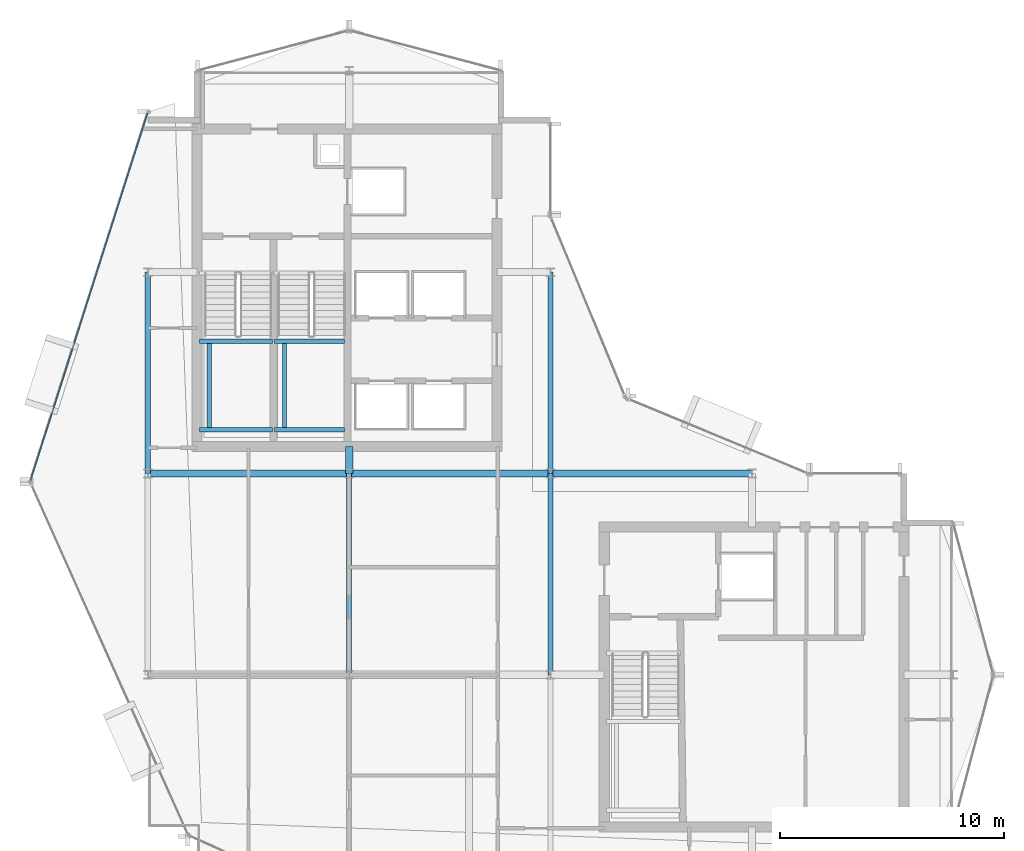
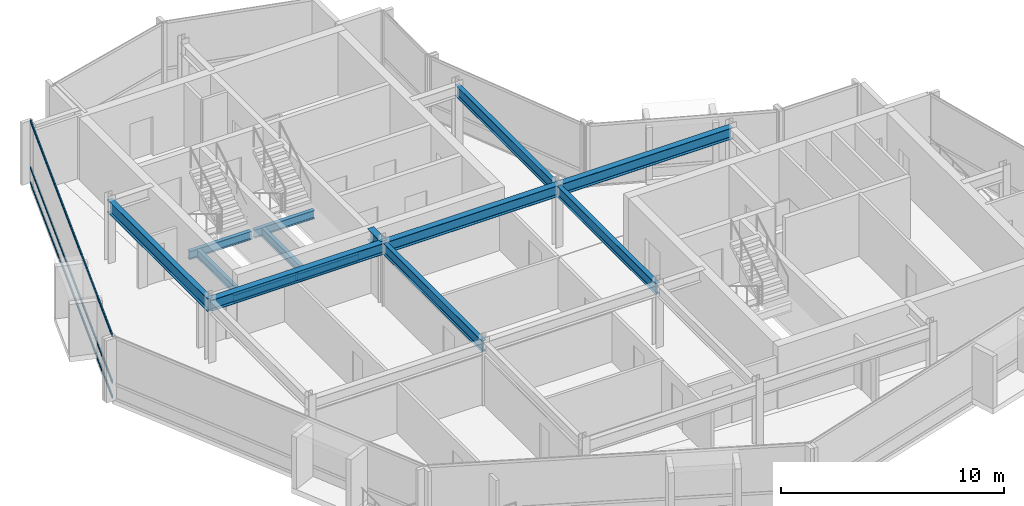
# One storey, part 7 of 19: 14 beams, 3 members, 1 element without a shape of its own.
"""IFC4 building model written with IfcOpenShell, lengths in metres."""

from ifc_helpers import new_model, si_unit, direction, frame, origin, origin_2d, place, context, subcontext, project, spatial, hollow_rectangle, i_section, extrude, material, layer, layer_set, material_profile, profile_set, type_object, element, aggregate, save


model = new_model("IFC4")

# Units and contexts
model_context = context("Model", 3, precision=1e-05, world=origin(), true_north=direction((0.0, 1.0)))
body_context = subcontext(model_context, "Body", "Model", "MODEL_VIEW")
ifc_project = project(units=[si_unit("LENGTHUNIT", "METRE"), si_unit("AREAUNIT", "SQUARE_METRE"), si_unit("VOLUMEUNIT", "CUBIC_METRE"), si_unit("PLANEANGLEUNIT", "RADIAN"), si_unit("MASSUNIT", "GRAM", prefix="KILO")], contexts=[model_context])

# Site, building, storey
site_placement = place(None, origin())
site = spatial("IfcSite", under=ifc_project, at=site_placement, CompositionType="ELEMENT")
building_placement = place(site_placement, origin())
building = spatial("IfcBuilding", under=site, at=building_placement, Name="Solvaryn Broadcast Tower", CompositionType="ELEMENT")
storey_placement = place(building_placement, frame((0.0, 0.0, 290.0)))
storey = spatial("IfcBuildingStorey", under=building, at=storey_placement, Name="L73", CompositionType="ELEMENT", Elevation=290.0)

# Beams
ifc_material_1 = material(Name="Steel ASTM A992 Grade 50", Category="steel")
ifc_material_profile_1 = material_profile(ifc_material_1, i_section(OverallWidth=0.323974609375, OverallDepth=0.611083984375, WebThickness=0.0126953125, FlangeThickness=0.01904296875, FilletRadius=0.014892578125, at=origin_2d()))
ifc_profile_set_1 = profile_set([ifc_material_profile_1], Name="Steel ASTM A992 Grade 50")
beam_type_1 = type_object("IfcBeamType", Name="BM-B1-W24X104", PredefinedType="BEAM", material=ifc_profile_set_1)
for number, where, z_axis, x_axis, name in (
    (1, (9.0, 27.0, 3.114501953125), (1.0, 0.0, 0.0), (0.0, 1.0, 0.0), "L73 Primary Beam X (9-18 @ Y=27)"),
    (2, (18.0, 27.0, 3.114501953125), (1.0, 0.0, 0.0), (0.0, 1.0, 0.0), "L73 Primary Beam X (18-27 @ Y=27)"),
    (3, (27.0, 27.0, 3.114501953125), (1.0, 0.0, 0.0), (0.0, 1.0, 0.0), "L73 Primary Beam X (27-36 @ Y=27)"),
):
    element("IfcBeam", number, at=place(storey_placement, frame(where, z_axis=z_axis, x_axis=x_axis)), inside=storey, type_object=beam_type_1, Name=name, PredefinedType="BEAM", context=body_context, shape_type="SweptSolid", body=[
        extrude(i_section(OverallWidth=0.323974609375, OverallDepth=0.611083984375, WebThickness=0.0126953125, FlangeThickness=0.01904296875, FilletRadius=0.014892578125, at=origin_2d()), origin(), (0.0, 0.0, 1.0), 9.0),
    ])
beam_1_placement = place(storey_placement, frame((18.0, 27.0, 3.114501953125), z_axis=(0.0, 1.0, 0.0), x_axis=(-1.0, 0.0, 0.0)))
element("IfcBeam", 4, at=beam_1_placement, inside=storey, type_object=beam_type_1, Name="L73 Core Tie Beam CTW4", PredefinedType="BEAM", context=body_context, shape_type="SweptSolid", body=[
    extrude(i_section(OverallWidth=0.323974609375, OverallDepth=0.611083984375, WebThickness=0.0126953125, FlangeThickness=0.01904296875, FilletRadius=0.014892578125, at=origin_2d()), origin(), (0.0, 0.0, 1.0), 1.199951171875),
])
ifc_material_2 = material(Name="Steel ASTM A992 Grade 50", Category="steel")
ifc_material_profile_2 = material_profile(ifc_material_2, i_section(OverallWidth=0.22802734375, OverallDepth=0.60791015625, WebThickness=0.01123046875, FlangeThickness=0.017333984375, FilletRadius=0.014892578125, at=origin_2d()))
ifc_profile_set_2 = profile_set([ifc_material_profile_2], Name="Steel ASTM A992 Grade 50")
beam_type_2 = type_object("IfcBeamType", Name="BM-B2-W24X76", PredefinedType="BEAM", material=ifc_profile_set_2)
for number, where, z_axis, x_axis, name in (
    (5, (18.0, 18.0, 3.115966796875), (0.0, 1.0, 0.0), (-1.0, 0.0, 0.0), "L73 Primary Beam Y (18-27 @ X=18)"),
    (6, (27.0, 18.0, 3.115966796875), (0.0, 1.0, 0.0), (-1.0, 0.0, 0.0), "L73 Primary Beam Y (18-27 @ X=27)"),
    (7, (27.0, 27.0, 3.115966796875), (0.0, 1.0, 0.0), (-1.0, 0.0, 0.0), "L73 Primary Beam Y (27-36 @ X=27)"),
):
    element("IfcBeam", number, at=place(storey_placement, frame(where, z_axis=z_axis, x_axis=x_axis)), inside=storey, type_object=beam_type_2, Name=name, PredefinedType="BEAM", context=body_context, shape_type="SweptSolid", body=[
        extrude(i_section(OverallWidth=0.22802734375, OverallDepth=0.60791015625, WebThickness=0.01123046875, FlangeThickness=0.017333984375, FilletRadius=0.014892578125, at=origin_2d()), origin(), (0.0, 0.0, 1.0), 9.0),
    ])
ifc_material_3 = material(Name="Steel ASTM A992 Grade 50", Category="steel")
ifc_material_profile_3 = material_profile(ifc_material_3, i_section(OverallWidth=0.18994140625, OverallDepth=0.45703125, WebThickness=0.009033203125, FlangeThickness=0.014404296875, FilletRadius=0.011962890625, at=origin_2d()))
ifc_profile_set_3 = profile_set([ifc_material_profile_3], Name="Steel ASTM A992 Grade 50")
beam_type_3 = type_object("IfcBeamType", Name="BM-B4-W18X50", PredefinedType="BEAM", material=ifc_profile_set_3)
for number, where, z_axis, x_axis, name in (
    (8, (11.300048828125, 28.949951171875, 1.42138671875), (1.0, 0.0, 0.0), (0.0, 1.0, 0.0), "L73 ST1 Landing Support Beam 1A"),
    (9, (11.300048828125, 32.909912109375, 1.42138671875), (1.0, 0.0, 0.0), (0.0, 1.0, 0.0), "L73 ST1 Landing Support Beam 1B"),
):
    element("IfcBeam", number, at=place(storey_placement, frame(where, z_axis=z_axis, x_axis=x_axis)), inside=storey, type_object=beam_type_3, Name=name, PredefinedType="BEAM", context=body_context, shape_type="SweptSolid", body=[
        extrude(i_section(OverallWidth=0.18994140625, OverallDepth=0.45703125, WebThickness=0.009033203125, FlangeThickness=0.014404296875, FilletRadius=0.011962890625, at=origin_2d()), origin(), (0.0, 0.0, 1.0), 3.280029296875),
    ])
beam_2_placement = place(storey_placement, frame((11.75, 28.949951171875, 1.42138671875), z_axis=(0.0, 1.0, 0.0), x_axis=(-1.0, 0.0, 0.0)))
element("IfcBeam", 10, at=beam_2_placement, inside=storey, type_object=beam_type_3, Name="L73 ST1 Landing Cross Stringer 1C", PredefinedType="BEAM", context=body_context, shape_type="SweptSolid", body=[
    extrude(i_section(OverallWidth=0.18994140625, OverallDepth=0.45703125, WebThickness=0.009033203125, FlangeThickness=0.014404296875, FilletRadius=0.011962890625, at=origin_2d()), origin(), (0.0, 0.0, 1.0), 3.9599609375),
])
for number, where, z_axis, x_axis, name in (
    (11, (14.659912109375, 28.949951171875, 1.42138671875), (1.0, 0.0, 0.0), (0.0, 1.0, 0.0), "L73 ST2 Landing Support Beam 1A"),
    (12, (14.659912109375, 32.909912109375, 1.42138671875), (1.0, 0.0, 0.0), (0.0, 1.0, 0.0), "L73 ST2 Landing Support Beam 1B"),
):
    element("IfcBeam", number, at=place(storey_placement, frame(where, z_axis=z_axis, x_axis=x_axis)), inside=storey, type_object=beam_type_3, Name=name, PredefinedType="BEAM", context=body_context, shape_type="SweptSolid", body=[
        extrude(i_section(OverallWidth=0.18994140625, OverallDepth=0.45703125, WebThickness=0.009033203125, FlangeThickness=0.014404296875, FilletRadius=0.011962890625, at=origin_2d()), origin(), (0.0, 0.0, 1.0), 3.14013671875),
    ])
beam_3_placement = place(storey_placement, frame((15.110107421875, 28.949951171875, 1.42138671875), z_axis=(0.0, 1.0, 0.0), x_axis=(-1.0, 0.0, 0.0)))
element("IfcBeam", 13, at=beam_3_placement, inside=storey, type_object=beam_type_3, Name="L73 ST2 Landing Cross Stringer 1C", PredefinedType="BEAM", context=body_context, shape_type="SweptSolid", body=[
    extrude(i_section(OverallWidth=0.18994140625, OverallDepth=0.45703125, WebThickness=0.009033203125, FlangeThickness=0.014404296875, FilletRadius=0.011962890625, at=origin_2d()), origin(), (0.0, 0.0, 1.0), 3.9599609375),
])
ifc_material_4 = material(Name="Steel ASTM A992 Grade 50", Category="steel")
ifc_material_profile_4 = material_profile(ifc_material_4, i_section(OverallWidth=0.256103515625, OverallDepth=0.693115234375, WebThickness=0.014404296875, FlangeThickness=0.023681640625, FilletRadius=0.01611328125, at=origin_2d()))
ifc_profile_set_4 = profile_set([ifc_material_profile_4], Name="Steel ASTM A992 Grade 50")
beam_type_4 = type_object("IfcBeamType", Name="BM-SP3-W27X114", PredefinedType="USERDEFINED", material=ifc_profile_set_4)
beam_4_placement = place(storey_placement, frame((9.0, 27.0, 3.073486328125), z_axis=(0.0, 1.0, 0.0), x_axis=(-1.0, 0.0, 0.0)))
element("IfcBeam", 14, at=beam_4_placement, inside=storey, type_object=beam_type_4, Name="L73 Spandrel Beam Y (27-36 @ X=9)", ObjectType="SPANDREL", PredefinedType="USERDEFINED", context=body_context, shape_type="SweptSolid", body=[
    extrude(i_section(OverallWidth=0.256103515625, OverallDepth=0.693115234375, WebThickness=0.014404296875, FlangeThickness=0.023681640625, FilletRadius=0.01611328125, at=origin_2d()), origin(), (0.0, 0.0, 1.0), 9.0),
])

# Curtain wall, members
ifc_material_5 = material(Name="Aluminium and Terracotta Unitised Curtain Wall", Category="masonry")
ifc_layer = layer(ifc_material_5, 0.199951171875)
ifc_layer_set = layer_set([ifc_layer], Name="CW-SYS2-LOWMID")
curtain_wall_type = type_object("IfcCurtainWallType", Name="CW-SYS2-LOWMID", PredefinedType="NOTDEFINED", material=ifc_layer_set)
curtain_wall_placement = place(storey_placement, origin())
curtain_wall = element("IfcCurtainWall", 15, at=curtain_wall_placement, inside=storey, type_object=curtain_wall_type, Name="L73 Curtain Wall DR1", PredefinedType="NOTDEFINED")
ifc_material_6 = material(Name="Anodised Aluminium 6063-T6", Category="aluminium")
ifc_material_profile_5 = material_profile(ifc_material_6, hollow_rectangle(XDim=0.06494140625, YDim=0.14990234375, WallThickness=0.00390625, InnerFilletRadius=0.00390625, OuterFilletRadius=0.008056640625, at=origin_2d()))
ifc_profile_set_5 = profile_set([ifc_material_profile_5], Name="Anodised Aluminium 6063-T6")
member_type = type_object("IfcMemberType", Name="CW-TRN-150", PredefinedType="USERDEFINED", material=ifc_profile_set_5)
member_1_placement = place(storey_placement, frame((8.981689453125, 43.091796875, 0.030029296875), z_axis=(-0.303616405252, -0.952794352661, 0.0), x_axis=(0.952794352661, -0.303616405252, 0.0)))
member_1 = element("IfcMember", 16, at=member_1_placement, type_object=member_type, Name="CWS2 transom 1.1", ObjectType="TRANSOM", PredefinedType="USERDEFINED", context=body_context, shape_type="SweptSolid", body=[
    extrude(hollow_rectangle(XDim=0.06494140625, YDim=0.14990234375, WallThickness=0.00390625, InnerFilletRadius=0.00390625, OuterFilletRadius=0.008056640625, at=origin_2d()), origin(), (0.0, 0.0, 1.0), 17.211181640625),
])
member_2_placement = place(storey_placement, frame((8.981689453125, 43.091796875, 0.85009765625), z_axis=(-0.303616405252, -0.952794352661, 0.0), x_axis=(0.952794352661, -0.303616405252, 0.0)))
member_2 = element("IfcMember", 17, at=member_2_placement, type_object=member_type, Name="CWS2 transom 1.2", ObjectType="TRANSOM", PredefinedType="USERDEFINED", context=body_context, shape_type="SweptSolid", body=[
    extrude(hollow_rectangle(XDim=0.06494140625, YDim=0.14990234375, WallThickness=0.00390625, InnerFilletRadius=0.00390625, OuterFilletRadius=0.008056640625, at=origin_2d()), origin(), (0.0, 0.0, 1.0), 17.211181640625),
])
member_3_placement = place(storey_placement, frame((8.981689453125, 43.091796875, 3.389892578125), z_axis=(-0.303616405252, -0.952794352661, 0.0), x_axis=(0.952794352661, -0.303616405252, 0.0)))
member_3 = element("IfcMember", 18, at=member_3_placement, type_object=member_type, Name="CWS2 transom 1.3", ObjectType="TRANSOM", PredefinedType="USERDEFINED", context=body_context, shape_type="SweptSolid", body=[
    extrude(hollow_rectangle(XDim=0.06494140625, YDim=0.14990234375, WallThickness=0.00390625, InnerFilletRadius=0.00390625, OuterFilletRadius=0.008056640625, at=origin_2d()), origin(), (0.0, 0.0, 1.0), 17.211181640625),
])
aggregate(curtain_wall, [member_1, member_2, member_3])

save(model, "model.ifc")
